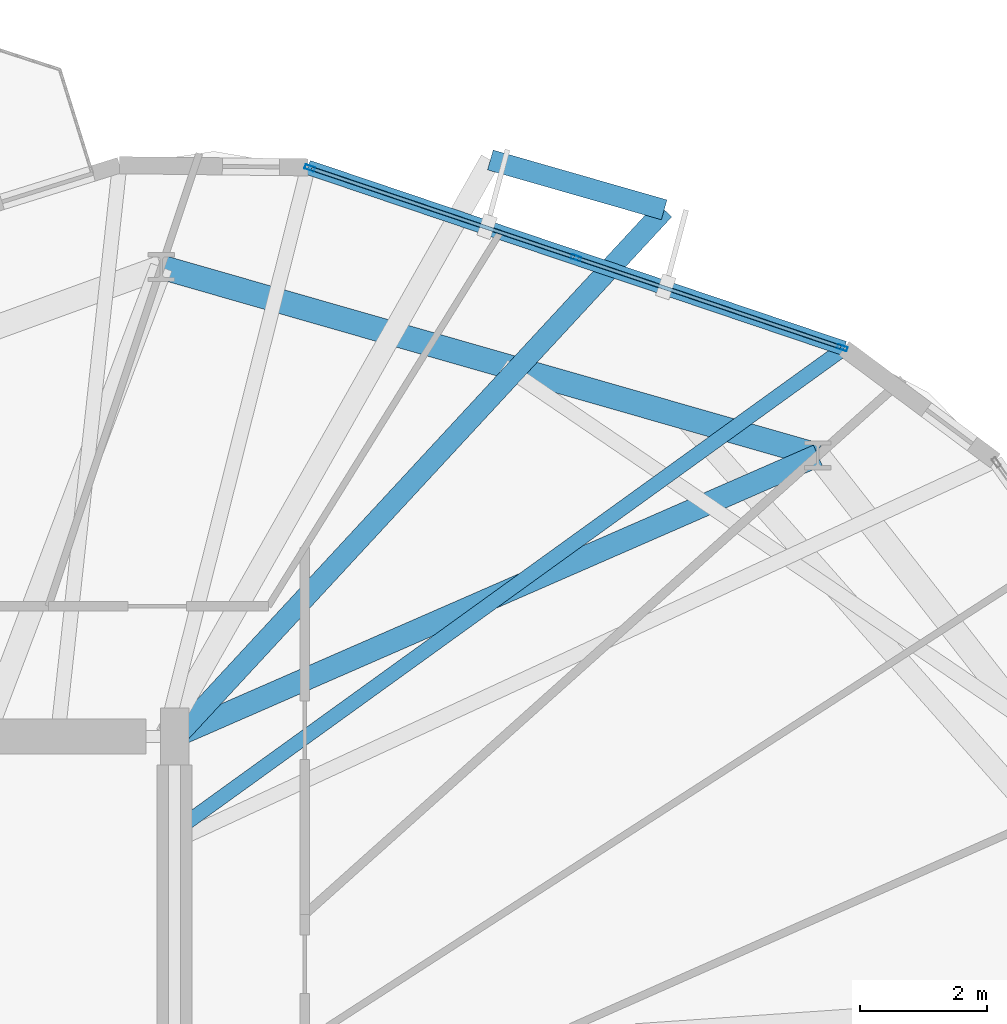
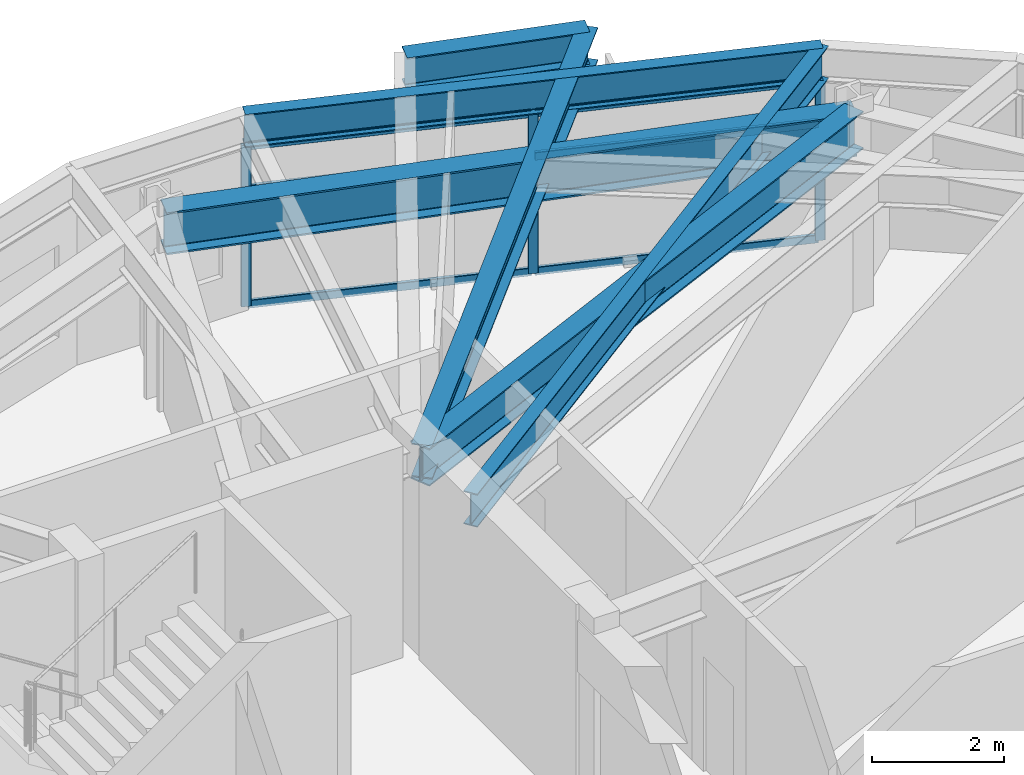
# One storey, part 19 of 27: 9 members, 6 beams, 1 element without a shape of its own.
"""IFC4 building model written with IfcOpenShell, lengths in metres."""

import ifcopenshell
import ifcopenshell.guid

model = None  # the IFC model being written
_history = None  # IfcOwnerHistory: only IFC2X3 demands one
_inside = {}  # id of a spatial element -> (the spatial element, [elements in it])
_under = {}  # id of a project, library or spatial element -> (it, [spatial elements below it])
_declared = {}  # id of a project -> (the project, [libraries it declares])
_typed = {}  # id of a type object -> (the type object, [elements of that type])
_made_of = {}  # id of a material, layer set ... -> (it, [elements and type objects made of it])


def new_model(schema):
    """Start an empty IFC model of exactly this schema.

    Asked for "IFC4X3", IfcOpenShell would pick the latest addendum, in which some entities
    have other attributes; the version numbers below select the first issue.
    IFC2X3 requires an IfcOwnerHistory on every rooted entity: one is made here for all.
    """
    global model, _history
    if schema == "IFC4X3":
        model = ifcopenshell.file(schema_version=(4, 3, 0, 0))
    else:
        model = ifcopenshell.file(schema=schema)
    _inside.clear()
    _under.clear()
    _declared.clear()
    _typed.clear()
    _made_of.clear()
    _history = None
    if model.schema == "IFC2X3":
        org = make("IfcOrganization", Name="unknown")
        user = make(
            "IfcPersonAndOrganization",
            ThePerson=make("IfcPerson", FamilyName="unknown"),
            TheOrganization=org,
        )
        app = make(
            "IfcApplication",
            ApplicationDeveloper=org,
            Version="unknown",
            ApplicationFullName="unknown",
            ApplicationIdentifier="unknown",
        )
        _history = make(
            "IfcOwnerHistory",
            OwningUser=user,
            OwningApplication=app,
            ChangeAction="ADDED",
            CreationDate=0,
        )
    return model


def make(cls, **values):
    """One entity of the class cls with the attributes given. An attribute that is None is left unset."""
    return model.create_entity(
        cls, **{name: value for name, value in values.items() if value is not None}
    )


def rooted(cls, **values):
    """An entity with a GlobalId (a new one), such as an element, a storey or a relation."""
    return make(cls, GlobalId=ifcopenshell.guid.new(), OwnerHistory=_history, **values)


def si_unit(unit_type, name, prefix=None):
    """IfcSIUnit, for example si_unit("LENGTHUNIT", "METRE", prefix="MILLI")."""
    return make("IfcSIUnit", UnitType=unit_type, Prefix=prefix, Name=name)


def assignment(units):
    """IfcUnitAssignment: the units of a project."""
    return None if units is None else make("IfcUnitAssignment", Units=units)


def point(xyz):
    """IfcCartesianPoint."""
    return None if xyz is None else make("IfcCartesianPoint", Coordinates=xyz)


def direction(xyz):
    """IfcDirection."""
    return None if xyz is None else make("IfcDirection", DirectionRatios=xyz)


def frame(location, z_axis=None, x_axis=None):
    """IfcAxis2Placement3D, a coordinate frame: its origin and axes. An axis left out is left unset."""
    return make(
        "IfcAxis2Placement3D",
        Location=point(location),
        Axis=direction(z_axis),
        RefDirection=direction(x_axis),
    )


def frame_2d(location, x_axis=None):
    """IfcAxis2Placement2D, a coordinate frame in the plane: its origin and x axis."""
    return make(
        "IfcAxis2Placement2D", Location=point(location), RefDirection=direction(x_axis)
    )


def origin():
    """The frame at (0, 0, 0) with its axes left unset."""
    return frame((0.0, 0.0, 0.0))


def origin_2d():
    """The frame at (0, 0) in the plane with its x axis left unset."""
    return frame_2d((0.0, 0.0))


def place(relative_to, where):
    """IfcLocalPlacement: puts the frame where relative to a parent placement (None: the world)."""
    return make(
        "IfcLocalPlacement", PlacementRelTo=relative_to, RelativePlacement=where
    )


def context(
    kind, dimensions, precision=None, world=None, true_north=None, identifier=None
):
    """IfcGeometricRepresentationContext, for example the 3D "Model" context."""
    return make(
        "IfcGeometricRepresentationContext",
        ContextIdentifier=identifier,
        ContextType=kind,
        CoordinateSpaceDimension=dimensions,
        Precision=precision,
        WorldCoordinateSystem=world,
        TrueNorth=true_north,
    )


def subcontext(parent, identifier, kind, view, scale=None):
    """IfcGeometricRepresentationSubContext, for example "Body" below "Model"."""
    return make(
        "IfcGeometricRepresentationSubContext",
        ContextIdentifier=identifier,
        ContextType=kind,
        ParentContext=parent,
        TargetScale=scale,
        TargetView=view,
    )


def project(units=None, contexts=None):
    """IfcProject with its units and contexts."""
    return rooted(
        "IfcProject",
        Name="project",
        RepresentationContexts=contexts,
        UnitsInContext=assignment(units),
    )


def spatial(cls, under=None, at=None, **own):
    """A site, building, storey or space (cls), placed at a placement, below another one or the project."""
    s = rooted(cls, ObjectPlacement=at, **own)
    if under is not None:
        _under.setdefault(under.id(), (under, []))[1].append(s)
    return s


def profile(cls, at=None, kind="AREA", **sizes):
    """A parametric profile (cls). Its sizes go by their IFC names, for example OverallWidth=200.0."""
    return make(cls, ProfileType=kind, Position=at, **sizes)


def hollow_rectangle(**sizes):
    """IfcRectangleHollowProfileDef."""
    return profile("IfcRectangleHollowProfileDef", **sizes)


def i_section(**sizes):
    """IfcIShapeProfileDef."""
    return profile("IfcIShapeProfileDef", **sizes)


def extrude(swept, where, along, depth):
    """IfcExtrudedAreaSolid: the profile swept, set in the frame where, extruded along a direction by depth."""
    return make(
        "IfcExtrudedAreaSolid",
        SweptArea=swept,
        Position=where,
        ExtrudedDirection=direction(along),
        Depth=depth,
    )


def shape(context_of_items, identifier, shape_type, items):
    """IfcShapeRepresentation: the items that make up one representation, for example the "Body"."""
    return make(
        "IfcShapeRepresentation",
        ContextOfItems=context_of_items,
        RepresentationIdentifier=identifier,
        RepresentationType=shape_type,
        Items=items,
    )


def material(Name=None, Category=None):
    """IfcMaterial."""
    return make("IfcMaterial", Name=Name, Category=Category)


def layer(
    of_material, thickness, ventilated=None, Name=None, Category=None, Priority=None
):
    """IfcMaterialLayer: one layer of a wall or slab, of a material (None: an air gap)."""
    return make(
        "IfcMaterialLayer",
        Material=of_material,
        LayerThickness=thickness,
        IsVentilated=ventilated,
        Name=Name,
        Category=Category,
        Priority=Priority,
    )


def layer_set(layers, Name=None):
    """IfcMaterialLayerSet."""
    return make("IfcMaterialLayerSet", MaterialLayers=layers, LayerSetName=Name)


def material_profile(
    of_material, cross_section, Name=None, Category=None, Priority=None
):
    """IfcMaterialProfile: a cross section and its material."""
    return make(
        "IfcMaterialProfile",
        Name=Name,
        Material=of_material,
        Profile=cross_section,
        Priority=Priority,
        Category=Category,
    )


def profile_set(profiles, Name=None, composite=None):
    """IfcMaterialProfileSet."""
    return make(
        "IfcMaterialProfileSet",
        Name=Name,
        MaterialProfiles=profiles,
        CompositeProfile=composite,
    )


def made_of(thing, what):
    """Note that an element or type object is made of a material, layer set ...; save() writes the relation."""
    if what is not None:
        _made_of.setdefault(what.id(), (what, []))[1].append(thing)
    return thing


def type_object(cls, material=None, **own):
    """A type object (cls), such as IfcWallType, which elements share."""
    return made_of(rooted(cls, **own), material)


def element(
    cls,
    number,
    at=None,
    inside=None,
    cuts=None,
    type_object=None,
    material=None,
    context=None,
    identifier="Body",
    shape_type=None,
    held_by="IfcProductDefinitionShape",
    body=None,
    shapes=None,
    **own,
):
    """One element of the class cls, such as IfcWall. Its Tag is "e" and its number.

    at: its placement. inside: the storey or other place that contains it. cuts: it is an
    opening in that element (IfcRelVoidsElement). A single representation is given by context,
    identifier, shape_type and body (its items); several are given by shapes. held_by: the class
    of the entity that holds the representations. save() writes the other relations.
    """
    e = rooted(cls, Tag="e%d" % number, ObjectPlacement=at, **own)
    if body is not None:
        shapes = [shape(context, identifier, shape_type, body)]
    if shapes is not None:
        e.Representation = make(held_by, Representations=shapes)
    if inside is not None:
        _inside.setdefault(inside.id(), (inside, []))[1].append(e)
    if cuts is not None:
        rooted(
            "IfcRelVoidsElement", RelatingBuildingElement=cuts, RelatedOpeningElement=e
        )
    if type_object is not None:
        _typed.setdefault(type_object.id(), (type_object, []))[1].append(e)
    return made_of(e, material)


def aggregate(whole, parts):
    """IfcRelAggregates: a whole, such as a stair, and the parts it consists of."""
    return rooted("IfcRelAggregates", RelatingObject=whole, RelatedObjects=parts)


def save(model, path):
    """Write the relations noted so far, then the file.

    IfcRelAggregates (storeys below a building ...), IfcRelContainedInSpatialStructure (elements
    in a storey), IfcRelDefinesByType, IfcRelAssociatesMaterial and IfcRelDeclares: one each for
    every whole, place, type object, material and project.
    """
    for whole, parts in _under.values():
        aggregate(whole, parts)
    for where, things in _inside.values():
        rooted(
            "IfcRelContainedInSpatialStructure",
            RelatedElements=things,
            RelatingStructure=where,
        )
    for kind, things in _typed.values():
        rooted("IfcRelDefinesByType", RelatedObjects=things, RelatingType=kind)
    for what, things in _made_of.values():
        rooted("IfcRelAssociatesMaterial", RelatedObjects=things, RelatingMaterial=what)
    for by, libraries in _declared.values():
        rooted("IfcRelDeclares", RelatingContext=by, RelatedDefinitions=libraries)
    model.write(path)


model = new_model("IFC4")

# Units and contexts
model_context = context("Model", 3, precision=1e-05, world=origin(), true_north=direction((0.0, 1.0)))
body_context = subcontext(model_context, "Body", "Model", "MODEL_VIEW")
ifc_project = project(units=[si_unit("LENGTHUNIT", "METRE"), si_unit("AREAUNIT", "SQUARE_METRE"), si_unit("VOLUMEUNIT", "CUBIC_METRE"), si_unit("PLANEANGLEUNIT", "RADIAN"), si_unit("MASSUNIT", "GRAM", prefix="KILO")], contexts=[model_context])

# Site, building, storey
site_placement = place(None, origin())
site = spatial("IfcSite", under=ifc_project, at=site_placement, CompositionType="ELEMENT")
building_placement = place(site_placement, origin())
building = spatial("IfcBuilding", under=site, at=building_placement, Name="Soratama Intermodal Tower", CompositionType="ELEMENT")
storey_placement = place(building_placement, frame((0.0, 0.0, 95.199951171875)))
storey = spatial("IfcBuildingStorey", under=building, at=storey_placement, Name="L22", CompositionType="ELEMENT", Elevation=95.199951171875)

# Beams
ifc_material_1 = material(Name="Structural steel ASTM A992 Grade 50", Category="steel")
ifc_material_profile_1 = material_profile(ifc_material_1, i_section(OverallWidth=0.324951171875, OverallDepth=0.615966796875, WebThickness=0.013916015625, FlangeThickness=0.021484375, FilletRadius=0.013916015625, at=origin_2d()), Name="W24X117")
ifc_profile_set_1 = profile_set([ifc_material_profile_1], Name="Structural steel ASTM A992 Grade 50")
beam_type_1 = type_object("IfcBeamType", Name="BM-CANT-W24X117", PredefinedType="BEAM", material=ifc_profile_set_1)
beam_1_placement = place(storey_placement, frame((52.31005859375, 43.2919921875, 3.2919921875), z_axis=(-0.961254937433, 0.275660924436, 0.0), x_axis=(-0.275660924436, -0.961254937433, 0.0)))
element("IfcBeam", 1, at=beam_1_placement, inside=storey, type_object=beam_type_1, Name="BM-L22-CBHDR-2", PredefinedType="BEAM", context=body_context, shape_type="SweptSolid", body=[
    extrude(i_section(OverallWidth=0.324951171875, OverallDepth=0.615966796875, WebThickness=0.013916015625, FlangeThickness=0.021484375, FilletRadius=0.013916015625, at=origin_2d()), origin(), (0.0, 0.0, 1.0), 2.847412109375),
])
beam_2_placement = place(storey_placement, frame((44.626953125, 34.989990234375, 3.2919921875), z_axis=(0.679220790959, 0.733934000526, 0.0), x_axis=(-0.733934000526, 0.679220790959, 0.0)))
element("IfcBeam", 2, at=beam_2_placement, inside=storey, type_object=beam_type_1, Name="BM-L22-CANT-2-1", PredefinedType="BEAM", context=body_context, shape_type="SweptSolid", body=[
    extrude(i_section(OverallWidth=0.324951171875, OverallDepth=0.615966796875, WebThickness=0.013916015625, FlangeThickness=0.021484375, FilletRadius=0.013916015625, at=origin_2d()), origin(), (0.0, 0.0, 1.0), 11.311767578125),
])
ifc_material_2 = material(Name="Structural steel ASTM A992 Grade 50", Category="steel")
ifc_material_profile_2 = material_profile(ifc_material_2, i_section(OverallWidth=0.35498046875, OverallDepth=0.695068359375, WebThickness=0.015380859375, FlangeThickness=0.02490234375, FilletRadius=0.01611328125, at=origin_2d()), Name="W27X146")
ifc_profile_set_2 = profile_set([ifc_material_profile_2], Name="Structural steel ASTM A992 Grade 50")
beam_type_2 = type_object("IfcBeamType", Name="BM-RING-W27X146", PredefinedType="BEAM", material=ifc_profile_set_2)
beam_3_placement = place(storey_placement, frame((44.60009765625, 35.0, 3.25244140625), z_axis=(0.91638224797, 0.400304353718, 0.0), x_axis=(-0.400304353718, 0.91638224797, 0.0)))
element("IfcBeam", 3, at=beam_3_placement, inside=storey, type_object=beam_type_2, Name="BM-L22-RAD-02", PredefinedType="BEAM", context=body_context, shape_type="SweptSolid", body=[
    extrude(i_section(OverallWidth=0.35498046875, OverallDepth=0.695068359375, WebThickness=0.015380859375, FlangeThickness=0.02490234375, FilletRadius=0.01611328125, at=origin_2d()), origin(), (0.0, 0.0, 1.0), 11.05419921875),
])
ifc_material_3 = material(Name="Structural steel ASTM A992 Grade 50", Category="steel")
ifc_material_profile_3 = material_profile(ifc_material_3, i_section(OverallWidth=0.382080078125, OverallDepth=0.779052734375, WebThickness=0.01806640625, FlangeThickness=0.030029296875, FilletRadius=0.01806640625, at=origin_2d()), Name="W30X191")
ifc_profile_set_3 = profile_set([ifc_material_profile_3], Name="Structural steel ASTM A992 Grade 50")
beam_type_3 = type_object("IfcBeamType", Name="BM-RING-W30X191", PredefinedType="BEAM", material=ifc_profile_set_3)
beam_4_placement = place(storey_placement, frame((54.72998046875, 39.425048828125, 3.21044921875), z_axis=(-0.961266505995, 0.275620580604, 0.0), x_axis=(-0.275620580604, -0.961266505995, 0.0)))
element("IfcBeam", 4, at=beam_4_placement, inside=storey, type_object=beam_type_3, Name="BM-L22-RING-02", PredefinedType="BEAM", context=body_context, shape_type="SweptSolid", body=[
    extrude(i_section(OverallWidth=0.382080078125, OverallDepth=0.779052734375, WebThickness=0.01806640625, FlangeThickness=0.030029296875, FilletRadius=0.01806640625, at=origin_2d()), origin(), (0.0, 0.0, 1.0), 10.75341796875),
])
ifc_material_4 = material(Name="Structural steel ASTM A992 Grade 50", Category="steel")
ifc_material_profile_4 = material_profile(ifc_material_4, i_section(OverallWidth=0.22900390625, OverallDepth=0.612060546875, WebThickness=0.011962890625, FlangeThickness=0.01953125, FilletRadius=0.012939453125, at=origin_2d()), Name="W24X84")
ifc_profile_set_4 = profile_set([ifc_material_profile_4], Name="Structural steel ASTM A992 Grade 50")
beam_type_4 = type_object("IfcBeamType", Name="BM-SPN-W24X84", PredefinedType="SPANDREL", material=ifc_profile_set_4)
beam_5_placement = place(storey_placement, frame((55.14208984375, 41.111083984375, 3.2939453125), z_axis=(-0.947448364537, 0.319908731574, 0.0), x_axis=(-0.319908731574, -0.947448364537, 0.0)))
element("IfcBeam", 5, at=beam_5_placement, inside=storey, type_object=beam_type_4, Name="BS-L22-F02", PredefinedType="SPANDREL", context=body_context, shape_type="SweptSolid", body=[
    extrude(i_section(OverallWidth=0.22900390625, OverallDepth=0.612060546875, WebThickness=0.011962890625, FlangeThickness=0.01953125, FilletRadius=0.012939453125, at=origin_2d()), origin(), (0.0, 0.0, 1.0), 8.908447265625),
])
ifc_material_5 = material(Name="Structural steel ASTM A992 Grade 50", Category="steel")
ifc_material_profile_5 = material_profile(ifc_material_5, i_section(OverallWidth=0.22900390625, OverallDepth=0.612060546875, WebThickness=0.011962890625, FlangeThickness=0.01953125, FilletRadius=0.012939453125, at=origin_2d()), Name="W24X84")
ifc_profile_set_5 = profile_set([ifc_material_profile_5], Name="Structural steel ASTM A992 Grade 50")
beam_type_5 = type_object("IfcBeamType", Name="BM-TIE-W24X84", PredefinedType="BEAM", material=ifc_profile_set_5)
beam_6_placement = place(storey_placement, frame((44.632080078125, 33.529052734375, 3.2939453125), z_axis=(0.810991577217, 0.58505782764, 0.0), x_axis=(-0.58505782764, 0.810991577217, 0.0)))
element("IfcBeam", 6, at=beam_6_placement, inside=storey, type_object=beam_type_5, Name="BM-L22-TIE0-02", PredefinedType="BEAM", context=body_context, shape_type="SweptSolid", body=[
    extrude(i_section(OverallWidth=0.22900390625, OverallDepth=0.612060546875, WebThickness=0.011962890625, FlangeThickness=0.01953125, FilletRadius=0.012939453125, at=origin_2d()), origin(), (0.0, 0.0, 1.0), 12.95947265625),
])

# Curtain wall, members
ifc_material_6 = material(Name="Double-glazed aluminium curtain wall", Category="aluminium")
ifc_layer = layer(ifc_material_6, 0.159912109375)
ifc_layer_set = layer_set([ifc_layer], Name="Double-glazed aluminium curtain wall")
curtain_wall_type = type_object("IfcCurtainWallType", Name="CW-SYS-3", PredefinedType="NOTDEFINED", material=ifc_layer_set)
curtain_wall_placement = place(storey_placement, origin())
curtain_wall = element("IfcCurtainWall", 7, at=curtain_wall_placement, inside=storey, type_object=curtain_wall_type, Name="L22 Faceted Curtain Wall F02", PredefinedType="NOTDEFINED")
ifc_material_7 = material(Name="Anodised aluminium AA 6063-T6", Category="aluminium")
ifc_material_profile_6 = material_profile(ifc_material_7, hollow_rectangle(XDim=0.070068359375, YDim=0.159912109375, WallThickness=0.0048828125, InnerFilletRadius=0.0048828125, OuterFilletRadius=0.010009765625, at=origin_2d()), Name="CWM160X70X5")
ifc_profile_set_6 = profile_set([ifc_material_profile_6], Name="Anodised aluminium AA 6063-T6")
member_type_1 = type_object("IfcMemberType", Name="MT-CWM-3", PredefinedType="MULLION", material=ifc_profile_set_6)
member_1_placement = place(storey_placement, frame((55.113525390625, 41.120361328125, 0.0), z_axis=(0.0, 0.0, 1.0), x_axis=(-0.319953229189, -0.947433338621, 0.0)))
member_1 = element("IfcMember", 8, at=member_1_placement, type_object=member_type_1, Name="CW-3 mullion 1", PredefinedType="MULLION", context=body_context, shape_type="SweptSolid", body=[
    extrude(hollow_rectangle(XDim=0.070068359375, YDim=0.159912109375, WallThickness=0.0048828125, InnerFilletRadius=0.0048828125, OuterFilletRadius=0.010009765625, at=origin_2d()), origin(), (0.0, 0.0, 1.0), 2.97900390625),
])
member_2_placement = place(storey_placement, frame((50.921875, 42.535888671875, 0.0), z_axis=(0.0, 0.0, 1.0), x_axis=(-0.319953229189, -0.947433338621, 0.0)))
member_2 = element("IfcMember", 9, at=member_2_placement, type_object=member_type_1, Name="CW-3 mullion 2", PredefinedType="MULLION", context=body_context, shape_type="SweptSolid", body=[
    extrude(hollow_rectangle(XDim=0.070068359375, YDim=0.159912109375, WallThickness=0.0048828125, InnerFilletRadius=0.0048828125, OuterFilletRadius=0.010009765625, at=origin_2d()), origin(), (0.0, 0.0, 1.0), 2.97900390625),
])
member_3_placement = place(storey_placement, frame((46.730224609375, 43.951416015625, 0.0), z_axis=(0.0, 0.0, 1.0), x_axis=(-0.319953229189, -0.947433338621, 0.0)))
member_3 = element("IfcMember", 10, at=member_3_placement, type_object=member_type_1, Name="CW-3 mullion 3", PredefinedType="MULLION", context=body_context, shape_type="SweptSolid", body=[
    extrude(hollow_rectangle(XDim=0.070068359375, YDim=0.159912109375, WallThickness=0.0048828125, InnerFilletRadius=0.0048828125, OuterFilletRadius=0.010009765625, at=origin_2d()), origin(), (0.0, 0.0, 1.0), 2.97900390625),
])
ifc_material_8 = material(Name="Anodised aluminium AA 6063-T6", Category="aluminium")
ifc_material_profile_7 = material_profile(ifc_material_8, hollow_rectangle(XDim=0.06494140625, YDim=0.14990234375, WallThickness=0.0048828125, InnerFilletRadius=0.0048828125, OuterFilletRadius=0.010009765625, at=origin_2d()), Name="CWT150X65X5")
ifc_profile_set_7 = profile_set([ifc_material_profile_7], Name="Anodised aluminium AA 6063-T6")
member_type_2 = type_object("IfcMemberType", Name="TT-CWT-1", PredefinedType="USERDEFINED", material=ifc_profile_set_7)
member_4_placement = place(storey_placement, frame((55.085205078125, 41.1298828125, 0.030029296875), z_axis=(-0.947422763469, 0.31998454222, 0.0), x_axis=(-0.31998454222, -0.947422763469, 0.0)))
member_4 = element("IfcMember", 11, at=member_4_placement, type_object=member_type_2, Name="CW-3 transom 1.1", ObjectType="TRANSOM", PredefinedType="USERDEFINED", context=body_context, shape_type="SweptSolid", body=[
    extrude(hollow_rectangle(XDim=0.06494140625, YDim=0.14990234375, WallThickness=0.0048828125, InnerFilletRadius=0.0048828125, OuterFilletRadius=0.010009765625, at=origin_2d()), origin(), (0.0, 0.0, 1.0), 4.3642578125),
])
member_5_placement = place(storey_placement, frame((55.085205078125, 41.1298828125, 2.150146484375), z_axis=(-0.947422763469, 0.31998454222, 0.0), x_axis=(-0.31998454222, -0.947422763469, 0.0)))
member_5 = element("IfcMember", 12, at=member_5_placement, type_object=member_type_2, Name="CW-3 transom 1.2", ObjectType="TRANSOM", PredefinedType="USERDEFINED", context=body_context, shape_type="SweptSolid", body=[
    extrude(hollow_rectangle(XDim=0.06494140625, YDim=0.14990234375, WallThickness=0.0048828125, InnerFilletRadius=0.0048828125, OuterFilletRadius=0.010009765625, at=origin_2d()), origin(), (0.0, 0.0, 1.0), 4.3642578125),
])
member_6_placement = place(storey_placement, frame((55.085205078125, 41.1298828125, 2.948974609375), z_axis=(-0.947422763469, 0.31998454222, 0.0), x_axis=(-0.31998454222, -0.947422763469, 0.0)))
member_6 = element("IfcMember", 13, at=member_6_placement, type_object=member_type_2, Name="CW-3 transom 1.3", ObjectType="TRANSOM", PredefinedType="USERDEFINED", context=body_context, shape_type="SweptSolid", body=[
    extrude(hollow_rectangle(XDim=0.06494140625, YDim=0.14990234375, WallThickness=0.0048828125, InnerFilletRadius=0.0048828125, OuterFilletRadius=0.010009765625, at=origin_2d()), origin(), (0.0, 0.0, 1.0), 4.3642578125),
])
member_7_placement = place(storey_placement, frame((50.8935546875, 42.54541015625, 0.030029296875), z_axis=(-0.947428490855, 0.319967583851, 0.0), x_axis=(-0.319967583851, -0.947428490855, 0.0)))
member_7 = element("IfcMember", 14, at=member_7_placement, type_object=member_type_2, Name="CW-3 transom 2.1", ObjectType="TRANSOM", PredefinedType="USERDEFINED", context=body_context, shape_type="SweptSolid", body=[
    extrude(hollow_rectangle(XDim=0.06494140625, YDim=0.14990234375, WallThickness=0.0048828125, InnerFilletRadius=0.0048828125, OuterFilletRadius=0.010009765625, at=origin_2d()), origin(), (0.0, 0.0, 1.0), 4.364501953125),
])
member_8_placement = place(storey_placement, frame((50.8935546875, 42.54541015625, 2.150146484375), z_axis=(-0.947428490855, 0.319967583851, 0.0), x_axis=(-0.319967583851, -0.947428490855, 0.0)))
member_8 = element("IfcMember", 15, at=member_8_placement, type_object=member_type_2, Name="CW-3 transom 2.2", ObjectType="TRANSOM", PredefinedType="USERDEFINED", context=body_context, shape_type="SweptSolid", body=[
    extrude(hollow_rectangle(XDim=0.06494140625, YDim=0.14990234375, WallThickness=0.0048828125, InnerFilletRadius=0.0048828125, OuterFilletRadius=0.010009765625, at=origin_2d()), origin(), (0.0, 0.0, 1.0), 4.364501953125),
])
member_9_placement = place(storey_placement, frame((50.8935546875, 42.54541015625, 2.948974609375), z_axis=(-0.947428490855, 0.319967583851, 0.0), x_axis=(-0.319967583851, -0.947428490855, 0.0)))
member_9 = element("IfcMember", 16, at=member_9_placement, type_object=member_type_2, Name="CW-3 transom 2.3", ObjectType="TRANSOM", PredefinedType="USERDEFINED", context=body_context, shape_type="SweptSolid", body=[
    extrude(hollow_rectangle(XDim=0.06494140625, YDim=0.14990234375, WallThickness=0.0048828125, InnerFilletRadius=0.0048828125, OuterFilletRadius=0.010009765625, at=origin_2d()), origin(), (0.0, 0.0, 1.0), 4.364501953125),
])
aggregate(curtain_wall, [member_1, member_2, member_3, member_4, member_5, member_6, member_7, member_8, member_9])

save(model, "model.ifc")
